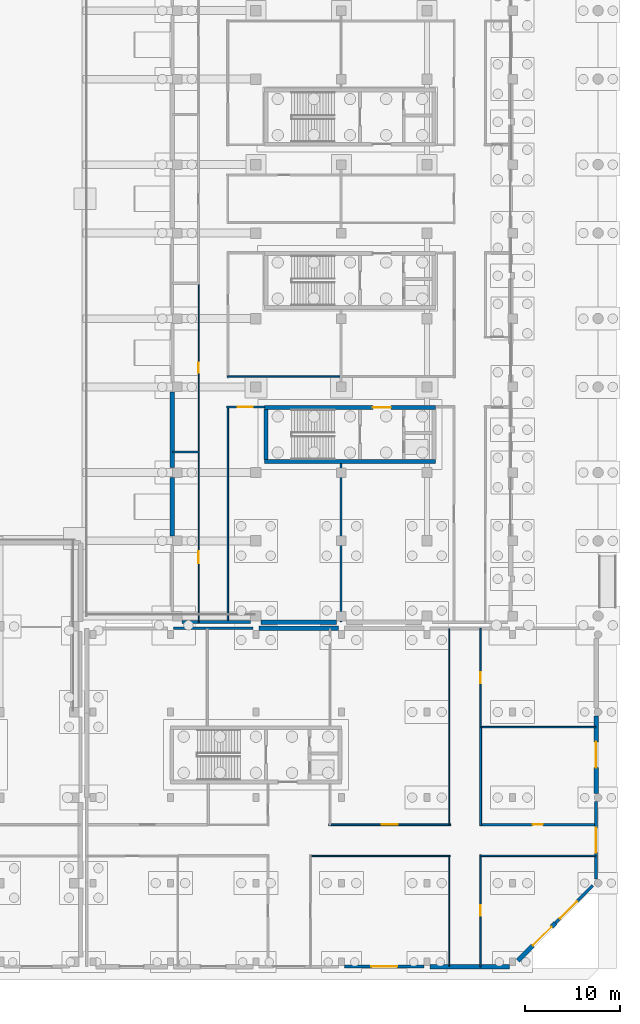
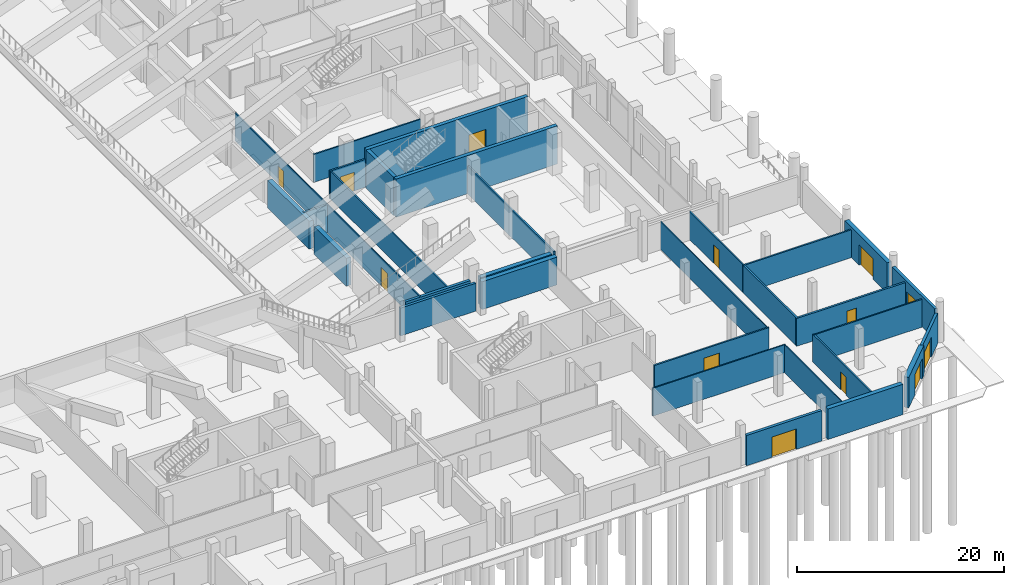
# One storey, part 26 of 53: 32 walls, 13 doors, 13 openings.
"""IFC4 building model written with IfcOpenShell, lengths in metres."""

from ifc_helpers import new_model, si_unit, direction, frame, frame_2d, origin, place, context, subcontext, project, spatial, rectangle, extrude, material, layer, layer_set, type_object, element, fill, save


model = new_model("IFC4")

# Units and contexts
model_context = context("Model", 3, precision=1e-05, world=origin(), true_north=direction((0.0, 1.0)))
body_context = subcontext(model_context, "Body", "Model", "MODEL_VIEW")
ifc_project = project(units=[si_unit("LENGTHUNIT", "METRE"), si_unit("AREAUNIT", "SQUARE_METRE"), si_unit("VOLUMEUNIT", "CUBIC_METRE"), si_unit("PLANEANGLEUNIT", "RADIAN"), si_unit("MASSUNIT", "GRAM", prefix="KILO"), si_unit("THERMODYNAMICTEMPERATUREUNIT", "KELVIN"), si_unit("POWERUNIT", "WATT")], contexts=[model_context])

# Site, building, storey
site_placement = place(None, origin())
site = spatial("IfcSite", under=ifc_project, at=site_placement, CompositionType="ELEMENT")
building_placement = place(site_placement, origin())
building = spatial("IfcBuilding", under=site, at=building_placement, Name="Sindhuravela Promenade Stadium", CompositionType="ELEMENT")
storey_placement = place(building_placement, origin())
storey = spatial("IfcBuildingStorey", under=building, at=storey_placement, Name="L00", CompositionType="ELEMENT", Elevation=0.0)

# Wall
ifc_material_1 = material(Name="Dholpur sandstone ashlar (45 MPa)", Category="masonry")
ifc_layer_1 = layer(ifc_material_1, 0.2900390625)
ifc_layer_set_1 = layer_set([ifc_layer_1], Name="Dholpur sandstone ashlar (45 MPa)")
wall_type_1 = type_object("IfcWallType", Name="EX-WL-SND290", PredefinedType="SOLIDWALL", material=ifc_layer_set_1)
wall_1_placement = place(storey_placement, frame((171.304931640625, 35.800048828125, 0.0), z_axis=(0.0, 0.0, 1.0), x_axis=(1.0, 0.0, 0.0)))
element("IfcWall", 1, at=wall_1_placement, inside=storey, type_object=wall_type_1, Name="Exterior masonry wall EW10 Pavilion SE L00", PredefinedType="SOLIDWALL", context=body_context, shape_type="SweptSolid", body=[
    extrude(rectangle(XDim=8.39013671875, YDim=0.2900390625, at=frame_2d((4.195068359375, 0.0))), origin(), (0.0, 0.0, 1.0), 3.280029296875),
])

# Wall, opening, door
wall_2_placement = place(storey_placement, frame((215.455078125, 8.73779296875, 0.0), z_axis=(0.0, 0.0, 1.0), x_axis=(-0.7071286530614815, -0.7070849086350626, 0.0)))
wall_2 = element("IfcWall", 2, at=wall_2_placement, inside=storey, type_object=wall_type_1, Name="Exterior masonry wall EW10 Pavilion SE L00", PredefinedType="SOLIDWALL", context=body_context, shape_type="SweptSolid", body=[
    extrude(rectangle(XDim=5.5810546875, YDim=0.2900390625, at=frame_2d((2.79052734375, 0.0))), origin(), (0.0, 0.0, 1.0), 3.580078125),
])
opening_1_placement = place(wall_2_placement, frame((2.377685546875, 0.0, 0.0)))
opening_1 = element("IfcOpeningElement", 3, at=opening_1_placement, cuts=wall_2, Name="Opening X04", PredefinedType="OPENING", context=body_context, shape_type="SweptSolid", body=[
    extrude(rectangle(XDim=2.5, YDim=2.35009765625, at=frame_2d((1.25, 1.175048828125))), frame((0.0, 0.155029296875, 0.0), z_axis=(0.0, -1.0, 0.0), x_axis=(1.0, 0.0, 0.0)), (0.0, 0.0, 1.0), 0.31005859375),
])
ifc_material_2 = material(Name="Anodised architectural aluminium 6063-T6", Category="aluminium")
door_type_1 = type_object("IfcDoorType", Name="DR-EXIT-2500x2350", OperationType="DOUBLE_DOOR_SINGLE_SWING", PredefinedType="DOOR", material=ifc_material_2)
door_1_placement = place(opening_1_placement, origin())
door_1 = element("IfcDoor", 4, at=door_1_placement, inside=storey, type_object=door_type_1, Name="Concourse exit discharge door X04", OperationType="DOUBLE_DOOR_SINGLE_SWING", OverallHeight=2.35009765625, OverallWidth=2.5, PredefinedType="DOOR", context=body_context, shape_type="SweptSolid", body=[
    extrude(rectangle(XDim=2.5, YDim=2.35009765625, at=frame_2d((1.25, 1.175048828125))), frame((0.0, 0.02490234375, 0.0), z_axis=(0.0, -1.0, 0.0), x_axis=(1.0, 0.0, 0.0)), (0.0, 0.0, 1.0), 0.050048828125),
])
fill(opening_1, door_1)

# Wall
ifc_layer_2 = layer(ifc_material_1, 0.31005859375)
ifc_layer_set_2 = layer_set([ifc_layer_2], Name="Dholpur sandstone ashlar (45 MPa)")
wall_type_2 = type_object("IfcWallType", Name="EX-WL-SND310", PredefinedType="SOLIDWALL", material=ifc_layer_set_2)
wall_3_placement = place(storey_placement, frame((179.445068359375, 36.449951171875, 0.0), z_axis=(0.0, 0.0, 1.0), x_axis=(-1.0, 0.0, 0.0)))
element("IfcWall", 5, at=wall_3_placement, inside=storey, type_object=wall_type_2, Name="Exterior masonry wall EW09 EAST L00", PredefinedType="SOLIDWALL", context=body_context, shape_type="SweptSolid", body=[
    extrude(rectangle(XDim=7.239990234375, YDim=0.31005859375, at=frame_2d((3.6201171875, 0.0))), origin(), (0.0, 0.0, 1.0), 3.280029296875),
])

# Wall, opening, door
wall_4_placement = place(storey_placement, frame((215.800048828125, 17.594970703125, 0.0), z_axis=(0.0, 0.0, 1.0), x_axis=(0.0, -1.0, 0.0)))
wall_4 = element("IfcWall", 6, at=wall_4_placement, inside=storey, type_object=wall_type_2, Name="Exterior masonry wall EW09 Pavilion SE L00", PredefinedType="SOLIDWALL", context=body_context, shape_type="SweptSolid", body=[
    extrude(rectangle(XDim=8.18994140625, YDim=0.31005859375, at=frame_2d((4.094970703125, 0.0))), origin(), (0.0, 0.0, 1.0), 3.580078125),
])
opening_2_placement = place(wall_4_placement, frame((2.794921875, 0.0, 0.0)))
opening_2 = element("IfcOpeningElement", 7, at=opening_2_placement, cuts=wall_4, Name="Opening X03", PredefinedType="OPENING", context=body_context, shape_type="SweptSolid", body=[
    extrude(rectangle(XDim=2.60009765625, YDim=2.35009765625, at=frame_2d((1.300048828125, 1.175048828125))), frame((0.0, 0.1650390625, 0.0), z_axis=(0.0, -1.0, 0.0), x_axis=(1.0, 0.0, 0.0)), (0.0, 0.0, 1.0), 0.330078125),
])
door_type_2 = type_object("IfcDoorType", Name="DR-EXIT-2600x2350", OperationType="DOUBLE_DOOR_SINGLE_SWING", PredefinedType="DOOR", material=ifc_material_2)
door_2_placement = place(opening_2_placement, origin())
door_2 = element("IfcDoor", 8, at=door_2_placement, inside=storey, type_object=door_type_2, Name="Concourse exit discharge door X03", OperationType="DOUBLE_DOOR_SINGLE_SWING", OverallHeight=2.35009765625, OverallWidth=2.60009765625, PredefinedType="DOOR", context=body_context, shape_type="SweptSolid", body=[
    extrude(rectangle(XDim=2.60009765625, YDim=2.35009765625, at=frame_2d((1.300048828125, 1.175048828125))), frame((0.0, 0.02490234375, 0.0), z_axis=(0.0, -1.0, 0.0), x_axis=(1.0, 0.0, 0.0)), (0.0, 0.0, 1.0), 0.050048828125),
])
fill(opening_2, door_2)

wall_5_placement = place(storey_placement, frame((197.695068359375, 0.199951171875, 0.0), z_axis=(0.0, 0.0, 1.0), x_axis=(-1.0, 0.0, 0.0)))
wall_5 = element("IfcWall", 9, at=wall_5_placement, inside=storey, type_object=wall_type_2, Name="Exterior masonry wall EW09 Pavilion SE L00", PredefinedType="SOLIDWALL", context=body_context, shape_type="SweptSolid", body=[
    extrude(rectangle(XDim=8.39013671875, YDim=0.31005859375, at=frame_2d((4.195068359375, 0.0))), origin(), (0.0, 0.0, 1.0), 3.580078125),
])
opening_3_placement = place(wall_5_placement, frame((2.844970703125, 0.0, 0.0)))
opening_3 = element("IfcOpeningElement", 10, at=opening_3_placement, cuts=wall_5, Name="Opening X06", PredefinedType="OPENING", context=body_context, shape_type="SweptSolid", body=[
    extrude(rectangle(XDim=2.699951171875, YDim=2.39990234375, at=frame_2d((1.35009765625, 1.199951171875))), frame((0.0, 0.1650390625, 0.0), z_axis=(0.0, -1.0, 0.0), x_axis=(1.0, 0.0, 0.0)), (0.0, 0.0, 1.0), 0.330078125),
])
door_type_3 = type_object("IfcDoorType", Name="DR-EXIT-2700x2400", OperationType="DOUBLE_DOOR_SINGLE_SWING", PredefinedType="DOOR", material=ifc_material_2)
door_3_placement = place(opening_3_placement, origin())
door_3 = element("IfcDoor", 11, at=door_3_placement, inside=storey, type_object=door_type_3, Name="Concourse exit discharge door X06", OperationType="DOUBLE_DOOR_SINGLE_SWING", OverallHeight=2.39990234375, OverallWidth=2.699951171875, PredefinedType="DOOR", context=body_context, shape_type="SweptSolid", body=[
    extrude(rectangle(XDim=2.699951171875, YDim=2.39990234375, at=frame_2d((1.35009765625, 1.199951171875))), frame((0.0, 0.02490234375, 0.0), z_axis=(0.0, -1.0, 0.0), x_axis=(1.0, 0.0, 0.0)), (0.0, 0.0, 1.0), 0.050048828125),
])
fill(opening_3, door_3)

# Walls
ifc_layer_3 = layer(ifc_material_1, 0.47998046875)
ifc_layer_set_3 = layer_set([ifc_layer_3], Name="Dholpur sandstone ashlar (45 MPa)")
wall_type_3 = type_object("IfcWallType", Name="EX-WL-SND480", PredefinedType="SOLIDWALL", material=ifc_layer_set_3)
wall_6_placement = place(storey_placement, frame((171.199951171875, 52.705078125, 0.0), z_axis=(0.0, 0.0, 1.0), x_axis=(0.0, 1.0, 0.0)))
element("IfcWall", 12, at=wall_6_placement, inside=storey, type_object=wall_type_3, Name="Exterior masonry wall EW08 EAST L00", PredefinedType="SOLIDWALL", context=body_context, shape_type="SweptSolid", body=[
    extrude(rectangle(XDim=7.989990234375, YDim=0.47998046875, at=frame_2d((3.9951171875, 0.0))), origin(), (0.0, 0.0, 1.0), 3.280029296875),
])
wall_7_placement = place(storey_placement, frame((188.4951171875, 36.449951171875, 0.0), z_axis=(0.0, 0.0, 1.0), x_axis=(-1.0, 0.0, 0.0)))
element("IfcWall", 13, at=wall_7_placement, inside=storey, type_object=wall_type_3, Name="Exterior masonry wall EW08 EAST L00", PredefinedType="SOLIDWALL", context=body_context, shape_type="SweptSolid", body=[
    extrude(rectangle(XDim=7.940185546875, YDim=0.47998046875, at=frame_2d((3.97021484375, 0.0))), origin(), (0.0, 0.0, 1.0), 3.280029296875),
])

# Wall, opening, door
wall_8_placement = place(storey_placement, frame((215.800048828125, 26.594970703125, 0.0), z_axis=(0.0, 0.0, 1.0), x_axis=(0.0, -1.0, 0.0)))
wall_8 = element("IfcWall", 14, at=wall_8_placement, inside=storey, type_object=wall_type_3, Name="Exterior masonry wall EW08 Pavilion SE L00", PredefinedType="SOLIDWALL", context=body_context, shape_type="SweptSolid", body=[
    extrude(rectangle(XDim=8.18994140625, YDim=0.47998046875, at=frame_2d((4.094970703125, 0.0))), origin(), (0.0, 0.0, 1.0), 3.580078125),
])
opening_4_placement = place(wall_8_placement, frame((2.7451171875, 0.0, 0.0)))
opening_4 = element("IfcOpeningElement", 15, at=opening_4_placement, cuts=wall_8, Name="Opening X02", PredefinedType="OPENING", context=body_context, shape_type="SweptSolid", body=[
    extrude(rectangle(XDim=2.699951171875, YDim=2.39990234375, at=frame_2d((1.35009765625, 1.199951171875))), frame((0.0, 0.25, 0.0), z_axis=(0.0, -1.0, 0.0), x_axis=(1.0, 0.0, 0.0)), (0.0, 0.0, 1.0), 0.5),
])
door_4_placement = place(opening_4_placement, origin())
door_4 = element("IfcDoor", 16, at=door_4_placement, inside=storey, type_object=door_type_3, Name="Concourse exit discharge door X02", OperationType="DOUBLE_DOOR_SINGLE_SWING", OverallHeight=2.39990234375, OverallWidth=2.699951171875, PredefinedType="DOOR", context=body_context, shape_type="SweptSolid", body=[
    extrude(rectangle(XDim=2.699951171875, YDim=2.39990234375, at=frame_2d((1.35009765625, 1.199951171875))), frame((0.0, 0.02490234375, 0.0), z_axis=(0.0, -1.0, 0.0), x_axis=(1.0, 0.0, 0.0)), (0.0, 0.0, 1.0), 0.050048828125),
])
fill(opening_4, door_4)

# Walls
wall_9_placement = place(storey_placement, frame((206.695068359375, 0.199951171875, 0.0), z_axis=(0.0, 0.0, 1.0), x_axis=(-1.0, 0.0, 0.0)))
element("IfcWall", 17, at=wall_9_placement, inside=storey, type_object=wall_type_3, Name="Exterior masonry wall EW08 Pavilion SE L00", PredefinedType="SOLIDWALL", context=body_context, shape_type="SweptSolid", body=[
    extrude(rectangle(XDim=8.39013671875, YDim=0.47998046875, at=frame_2d((4.195068359375, 0.0))), origin(), (0.0, 0.0, 1.0), 3.580078125),
])
ifc_layer_4 = layer(ifc_material_1, 0.5)
ifc_layer_set_4 = layer_set([ifc_layer_4], Name="Dholpur sandstone ashlar (45 MPa)")
wall_type_4 = type_object("IfcWallType", Name="EX-WL-SND500", PredefinedType="SOLIDWALL", material=ifc_layer_set_4)
wall_10_placement = place(storey_placement, frame((171.199951171875, 45.5048828125, 0.0), z_axis=(0.0, 0.0, 1.0), x_axis=(0.0, 1.0, 0.0)))
element("IfcWall", 18, at=wall_10_placement, inside=storey, type_object=wall_type_4, Name="Exterior masonry wall EW07 EAST L00", PredefinedType="SOLIDWALL", context=body_context, shape_type="SweptSolid", body=[
    extrude(rectangle(XDim=6.190185546875, YDim=0.5, at=frame_2d((3.09521484375, 0.0))), origin(), (0.0, 0.0, 1.0), 3.280029296875),
])
wall_11_placement = place(storey_placement, frame((180.304931640625, 35.800048828125, 0.0), z_axis=(0.0, 0.0, 1.0), x_axis=(1.0, 0.0, 0.0)))
element("IfcWall", 19, at=wall_11_placement, inside=storey, type_object=wall_type_4, Name="Exterior masonry wall EW07 Pavilion SE L00", PredefinedType="SOLIDWALL", context=body_context, shape_type="SweptSolid", body=[
    extrude(rectangle(XDim=8.39013671875, YDim=0.5, at=frame_2d((4.195068359375, 0.0))), origin(), (0.0, 0.0, 1.0), 3.280029296875),
])

# Wall, opening, door
wall_12_placement = place(storey_placement, frame((211.508544921875, 4.79150390625, 0.0), z_axis=(0.0, 0.0, 1.0), x_axis=(-0.7071067811865476, -0.7071067811865476, 0.0)))
wall_12 = element("IfcWall", 20, at=wall_12_placement, inside=storey, type_object=wall_type_4, Name="Exterior masonry wall EW07 Pavilion SE L00", PredefinedType="SOLIDWALL", context=body_context, shape_type="SweptSolid", body=[
    extrude(rectangle(XDim=5.581298828125, YDim=0.5, at=frame_2d((2.79052734375, 0.0))), origin(), (0.0, 0.0, 1.0), 3.580078125),
])
opening_5_placement = place(wall_12_placement, frame((0.553466796875, 0.0, 0.0)))
opening_5 = element("IfcOpeningElement", 21, at=opening_5_placement, cuts=wall_12, Name="Opening X05", PredefinedType="OPENING", context=body_context, shape_type="SweptSolid", body=[
    extrude(rectangle(XDim=2.800048828125, YDim=2.39990234375, at=frame_2d((1.39990234375, 1.199951171875))), frame((0.0, 0.260009765625, 0.0), z_axis=(0.0, -1.0, 0.0), x_axis=(1.0, 0.0, 0.0)), (0.0, 0.0, 1.0), 0.52001953125),
])
door_type_4 = type_object("IfcDoorType", Name="DR-EXIT-2800x2400", OperationType="DOUBLE_DOOR_SINGLE_SWING", PredefinedType="DOOR", material=ifc_material_2)
door_5_placement = place(opening_5_placement, origin())
door_5 = element("IfcDoor", 22, at=door_5_placement, inside=storey, type_object=door_type_4, Name="Concourse exit discharge door X05", OperationType="DOUBLE_DOOR_SINGLE_SWING", OverallHeight=2.39990234375, OverallWidth=2.800048828125, PredefinedType="DOOR", context=body_context, shape_type="SweptSolid", body=[
    extrude(rectangle(XDim=2.800048828125, YDim=2.39990234375, at=frame_2d((1.39990234375, 1.199951171875))), frame((0.0, 0.02490234375, 0.0), z_axis=(0.0, -1.0, 0.0), x_axis=(1.0, 0.0, 0.0)), (0.0, 0.0, 1.0), 0.050048828125),
])
fill(opening_5, door_5)

ifc_material_3 = material(Name="Fire-rated gypsum partition board", Category="gypsum")
ifc_layer_5 = layer(ifc_material_3, 0.110107421875)
ifc_layer_set_5 = layer_set([ifc_layer_5], Name="Fire-rated gypsum partition board")
wall_type_5 = type_object("IfcWallType", Name="IN-WL-PAR110", PredefinedType="PARTITIONING", material=ifc_layer_set_5)
wall_13_placement = place(storey_placement, frame((173.9599609375, 36.449951171875, 0.0), z_axis=(0.0, 0.0, 1.0), x_axis=(0.0, 1.0, 0.0)))
wall_13 = element("IfcWall", 23, at=wall_13_placement, inside=storey, type_object=wall_type_5, Name="Corridor partition IW06 Stadium Club Shop 4", PredefinedType="PARTITIONING", context=body_context, shape_type="SweptSolid", body=[
    extrude(rectangle(XDim=17.89208984375, YDim=0.110107421875, at=frame_2d((8.946044921875, 0.0))), origin(), (0.0, 0.0, 1.0), 3.280029296875),
])
opening_6_placement = place(wall_13_placement, frame((6.202880859375, 0.0, 0.0)))
opening_6 = element("IfcOpeningElement", 24, at=opening_6_placement, cuts=wall_13, Name="Opening ID04", PredefinedType="OPENING", context=body_context, shape_type="SweptSolid", body=[
    extrude(rectangle(XDim=1.25, YDim=2.14990234375, at=frame_2d((0.625, 1.074951171875))), frame((0.0, 0.06494140625, 0.0), z_axis=(0.0, -1.0, 0.0), x_axis=(1.0, 0.0, 0.0)), (0.0, 0.0, 1.0), 0.130126953125),
])
ifc_material_4 = material(Name="Architectural teak timber leaf", Category="wood")
door_type_5 = type_object("IfcDoorType", Name="DR-INT-1250x2150", OperationType="NOTDEFINED", PredefinedType="DOOR", material=ifc_material_4)
door_6_placement = place(opening_6_placement, origin())
door_6 = element("IfcDoor", 25, at=door_6_placement, inside=storey, type_object=door_type_5, Name="Stadium Club Shop 4 door", OperationType="SINGLE_SWING_RIGHT", OverallHeight=2.14990234375, OverallWidth=1.25, PredefinedType="DOOR", context=body_context, shape_type="SweptSolid", body=[
    extrude(rectangle(XDim=1.25, YDim=2.14990234375, at=frame_2d((0.625, 1.074951171875))), frame((0.0, 0.02490234375, 0.0), z_axis=(0.0, -1.0, 0.0), x_axis=(1.0, 0.0, 0.0)), (0.0, 0.0, 1.0), 0.050048828125),
])
fill(opening_6, door_6)

wall_14_placement = place(storey_placement, frame((173.9599609375, 54.342041015625, 0.0), z_axis=(0.0, 0.0, 1.0), x_axis=(0.0, 1.0, 0.0)))
wall_14 = element("IfcWall", 26, at=wall_14_placement, inside=storey, type_object=wall_type_5, Name="Corridor partition IW06 Chiller Plant Hall 7", PredefinedType="PARTITIONING", context=body_context, shape_type="SweptSolid", body=[
    extrude(rectangle(XDim=17.77197265625, YDim=0.110107421875, at=frame_2d((8.885986328125, 0.0))), origin(), (0.0, 0.0, 1.0), 3.280029296875),
])
opening_7_placement = place(wall_14_placement, frame((8.361083984375, 0.0, 0.0)))
opening_7 = element("IfcOpeningElement", 27, at=opening_7_placement, cuts=wall_14, Name="Opening ID07", PredefinedType="OPENING", context=body_context, shape_type="SweptSolid", body=[
    extrude(rectangle(XDim=1.050048828125, YDim=2.10009765625, at=frame_2d((0.52490234375, 1.050048828125))), frame((0.0, 0.06494140625, 0.0), z_axis=(0.0, -1.0, 0.0), x_axis=(1.0, 0.0, 0.0)), (0.0, 0.0, 1.0), 0.130126953125),
])
door_type_6 = type_object("IfcDoorType", Name="DR-INT-1050x2100", OperationType="NOTDEFINED", PredefinedType="DOOR", material=ifc_material_4)
door_7_placement = place(opening_7_placement, origin())
door_7 = element("IfcDoor", 28, at=door_7_placement, inside=storey, type_object=door_type_6, Name="Chiller Plant Hall 7 door", OperationType="SINGLE_SWING_LEFT", OverallHeight=2.10009765625, OverallWidth=1.050048828125, PredefinedType="DOOR", context=body_context, shape_type="SweptSolid", body=[
    extrude(rectangle(XDim=1.050048828125, YDim=2.10009765625, at=frame_2d((0.52490234375, 1.050048828125))), frame((0.0, 0.02490234375, 0.0), z_axis=(0.0, -1.0, 0.0), x_axis=(1.0, 0.0, 0.0)), (0.0, 0.0, 1.0), 0.050048828125),
])
fill(opening_7, door_7)

# Walls
wall_15_placement = place(storey_placement, frame((200.360107421875, 35.760009765625, 0.0), z_axis=(0.0, 0.0, 1.0), x_axis=(0.0, -1.0, 0.0)))
element("IfcWall", 29, at=wall_15_placement, inside=storey, type_object=wall_type_5, Name="Interior partition IW06 Pavilion SE L00", PredefinedType="PARTITIONING", context=body_context, shape_type="SweptSolid", body=[
    extrude(rectangle(XDim=20.699951171875, YDim=0.110107421875, at=frame_2d((10.35009765625, 0.0))), origin(), (0.0, 0.0, 1.0), 3.280029296875),
])
wall_16_placement = place(storey_placement, frame((200.360107421875, 11.93994140625, 0.0), z_axis=(0.0, 0.0, 1.0), x_axis=(0.0, -1.0, 0.0)))
element("IfcWall", 30, at=wall_16_placement, inside=storey, type_object=wall_type_5, Name="Interior partition IW06 Pavilion SE L00", PredefinedType="PARTITIONING", context=body_context, shape_type="SweptSolid", body=[
    extrude(rectangle(XDim=11.699951171875, YDim=0.110107421875, at=frame_2d((5.85009765625, 0.0))), origin(), (0.0, 0.0, 1.0), 3.280029296875),
])
ifc_layer_6 = layer(ifc_material_3, 0.1298828125)
ifc_layer_set_6 = layer_set([ifc_layer_6], Name="Fire-rated gypsum partition board")
wall_type_6 = type_object("IfcWallType", Name="IN-WL-PAR130", PredefinedType="PARTITIONING", material=ifc_layer_set_6)
wall_17_placement = place(storey_placement, frame((185.659912109375, 11.860107421875, 0.0), z_axis=(0.0, 0.0, 1.0), x_axis=(1.0, 0.0, 0.0)))
element("IfcWall", 31, at=wall_17_placement, inside=storey, type_object=wall_type_6, Name="Interior partition IW05 Pavilion SE L00", PredefinedType="PARTITIONING", context=body_context, shape_type="SweptSolid", body=[
    extrude(rectangle(XDim=14.780029296875, YDim=0.1298828125, at=frame_2d((7.39013671875, 0.0))), origin(), (0.0, 0.0, 1.0), 3.280029296875),
])
ifc_layer_7 = layer(ifc_material_3, 0.14990234375)
ifc_layer_set_7 = layer_set([ifc_layer_7], Name="Fire-rated gypsum partition board")
wall_type_7 = type_object("IfcWallType", Name="IN-WL-PAR150", PredefinedType="PARTITIONING", material=ifc_layer_set_7)
wall_18_placement = place(storey_placement, frame((177.0400390625, 36.489990234375, 0.0), z_axis=(0.0, 0.0, 1.0), x_axis=(0.0, 1.0, 0.0)))
element("IfcWall", 32, at=wall_18_placement, inside=storey, type_object=wall_type_7, Name="Interior partition IW04 EAST L00", PredefinedType="PARTITIONING", context=body_context, shape_type="SweptSolid", body=[
    extrude(rectangle(XDim=22.699951171875, YDim=0.14990234375, at=frame_2d((11.35009765625, 0.0))), origin(), (0.0, 0.0, 1.0), 3.280029296875),
])
wall_19_placement = place(storey_placement, frame((188.909912109375, 62.2900390625, 0.0), z_axis=(0.0, 0.0, 1.0), x_axis=(-1.0, 0.0, 0.0)))
element("IfcWall", 33, at=wall_19_placement, inside=storey, type_object=wall_type_7, Name="Interior partition IW04 EAST L00", PredefinedType="PARTITIONING", context=body_context, shape_type="SweptSolid", body=[
    extrude(rectangle(XDim=11.949951171875, YDim=0.14990234375, at=frame_2d((5.97509765625, 0.0))), origin(), (0.0, 0.0, 1.0), 3.280029296875),
])

# Wall, opening, door
wall_20_placement = place(storey_placement, frame((203.639892578125, 35.800048828125, 0.0), z_axis=(0.0, 0.0, 1.0), x_axis=(0.0, -1.0, 0.0)))
wall_20 = element("IfcWall", 34, at=wall_20_placement, inside=storey, type_object=wall_type_7, Name="Corridor partition IW04 Gate Ticketing Hall SE 2", PredefinedType="PARTITIONING", context=body_context, shape_type="SweptSolid", body=[
    extrude(rectangle(XDim=10.39013671875, YDim=0.14990234375, at=frame_2d((5.195068359375, 0.0))), origin(), (0.0, 0.0, 1.0), 3.280029296875),
])
opening_8_placement = place(wall_20_placement, frame((4.635009765625, 0.0, 0.0)))
opening_8 = element("IfcOpeningElement", 35, at=opening_8_placement, cuts=wall_20, Name="Opening ID13", PredefinedType="OPENING", context=body_context, shape_type="SweptSolid", body=[
    extrude(rectangle(XDim=1.1201171875, YDim=2.219970703125, at=frame_2d((0.56005859375, 1.10986328125))), frame((0.0, 0.0849609375, 0.0), z_axis=(0.0, -1.0, 0.0), x_axis=(1.0, 0.0, 0.0)), (0.0, 0.0, 1.0), 0.169921875),
])
door_type_7 = type_object("IfcDoorType", Name="DR-INT-1120x2220", OperationType="NOTDEFINED", PredefinedType="DOOR", material=ifc_material_4)
door_8_placement = place(opening_8_placement, origin())
door_8 = element("IfcDoor", 36, at=door_8_placement, inside=storey, type_object=door_type_7, Name="Gate Ticketing Hall SE 2 door", OperationType="SINGLE_SWING_LEFT", OverallHeight=2.219970703125, OverallWidth=1.1201171875, PredefinedType="DOOR", context=body_context, shape_type="SweptSolid", body=[
    extrude(rectangle(XDim=1.1201171875, YDim=2.219970703125, at=frame_2d((0.56005859375, 1.10986328125))), frame((0.0, 0.02490234375, 0.0), z_axis=(0.0, -1.0, 0.0), x_axis=(1.0, 0.0, 0.0)), (0.0, 0.0, 1.0), 0.050048828125),
])
fill(opening_8, door_8)

# Walls
wall_21_placement = place(storey_placement, frame((203.56005859375, 11.860107421875, 0.0), z_axis=(0.0, 0.0, 1.0), x_axis=(1.0, 0.0, 0.0)))
element("IfcWall", 37, at=wall_21_placement, inside=storey, type_object=wall_type_7, Name="Interior partition IW04 Pavilion SE L00", PredefinedType="PARTITIONING", context=body_context, shape_type="SweptSolid", body=[
    extrude(rectangle(XDim=12.199951171875, YDim=0.14990234375, at=frame_2d((6.10009765625, 0.0))), origin(), (0.0, 0.0, 1.0), 3.280029296875),
])
ifc_layer_8 = layer(ifc_material_3, 0.175048828125)
ifc_layer_set_8 = layer_set([ifc_layer_8], Name="Fire-rated gypsum partition board")
wall_type_8 = type_object("IfcWallType", Name="IN-WL-PAR175", PredefinedType="PARTITIONING", material=ifc_layer_set_8)
wall_22_placement = place(storey_placement, frame((188.949951171875, 53.14794921875, 0.0), z_axis=(0.0, 0.0, 1.0), x_axis=(0.0, -1.0, 0.0)))
element("IfcWall", 38, at=wall_22_placement, inside=storey, type_object=wall_type_8, Name="Interior partition IW03 EAST L00", PredefinedType="PARTITIONING", context=body_context, shape_type="SweptSolid", body=[
    extrude(rectangle(XDim=16.657958984375, YDim=0.175048828125, at=frame_2d((8.3291015625, 0.0))), origin(), (0.0, 0.0, 1.0), 3.280029296875),
])

# Wall, opening, door
wall_23_placement = place(storey_placement, frame((187.679931640625, 15.139892578125, 0.0), z_axis=(0.0, 0.0, 1.0), x_axis=(1.0, 0.0, 0.0)))
wall_23 = element("IfcWall", 39, at=wall_23_placement, inside=storey, type_object=wall_type_8, Name="Corridor partition IW03 Gate Ticketing Hall SE", PredefinedType="PARTITIONING", context=body_context, shape_type="SweptSolid", body=[
    extrude(rectangle(XDim=12.800048828125, YDim=0.175048828125, at=frame_2d((6.39990234375, 0.0))), origin(), (0.0, 0.0, 1.0), 3.280029296875),
])
opening_9_placement = place(wall_23_placement, frame((5.550048828125, 0.0, 0.0)))
opening_9 = element("IfcOpeningElement", 40, at=opening_9_placement, cuts=wall_23, Name="Opening ID01", PredefinedType="OPENING", context=body_context, shape_type="SweptSolid", body=[
    extrude(rectangle(XDim=1.699951171875, YDim=2.199951171875, at=frame_2d((0.85009765625, 1.10009765625))), frame((0.0, 0.097412109375, 0.0), z_axis=(0.0, -1.0, 0.0), x_axis=(1.0, 0.0, 0.0)), (0.0, 0.0, 1.0), 0.195068359375),
])
door_type_8 = type_object("IfcDoorType", Name="DR-INT-1700x2200", OperationType="DOUBLE_DOOR_SINGLE_SWING", PredefinedType="DOOR", material=ifc_material_4)
door_9_placement = place(opening_9_placement, origin())
door_9 = element("IfcDoor", 41, at=door_9_placement, inside=storey, type_object=door_type_8, Name="Gate Ticketing Hall SE door", OperationType="DOUBLE_DOOR_SINGLE_SWING", OverallHeight=2.199951171875, OverallWidth=1.699951171875, PredefinedType="DOOR", context=body_context, shape_type="SweptSolid", body=[
    extrude(rectangle(XDim=1.699951171875, YDim=2.199951171875, at=frame_2d((0.85009765625, 1.10009765625))), frame((0.0, 0.02490234375, 0.0), z_axis=(0.0, -1.0, 0.0), x_axis=(1.0, 0.0, 0.0)), (0.0, 0.0, 1.0), 0.050048828125),
])
fill(opening_9, door_9)

# Wall
wall_24_placement = place(storey_placement, frame((203.56005859375, 25.409912109375, 0.0), z_axis=(0.0, 0.0, 1.0), x_axis=(1.0, 0.0, 0.0)))
element("IfcWall", 42, at=wall_24_placement, inside=storey, type_object=wall_type_8, Name="Interior partition IW03 Pavilion SE L00", PredefinedType="PARTITIONING", context=body_context, shape_type="SweptSolid", body=[
    extrude(rectangle(XDim=12.199951171875, YDim=0.175048828125, at=frame_2d((6.10009765625, 0.0))), origin(), (0.0, 0.0, 1.0), 3.280029296875),
])

# Wall, opening, door
wall_25_placement = place(storey_placement, frame((203.639892578125, 11.97998046875, 0.0), z_axis=(0.0, 0.0, 1.0), x_axis=(0.0, -1.0, 0.0)))
wall_25 = element("IfcWall", 43, at=wall_25_placement, inside=storey, type_object=wall_type_8, Name="Corridor partition IW03 Accessible WC SE L00 5", PredefinedType="PARTITIONING", context=body_context, shape_type="SweptSolid", body=[
    extrude(rectangle(XDim=11.780029296875, YDim=0.175048828125, at=frame_2d((5.89013671875, 0.0))), origin(), (0.0, 0.0, 1.0), 3.280029296875),
])
opening_10_placement = place(wall_25_placement, frame((5.340087890625, 0.0, 0.0)))
opening_10 = element("IfcOpeningElement", 44, at=opening_10_placement, cuts=wall_25, Name="Opening ID06", PredefinedType="OPENING", context=body_context, shape_type="SweptSolid", body=[
    extrude(rectangle(XDim=1.10009765625, YDim=2.10009765625, at=frame_2d((0.550048828125, 1.050048828125))), frame((0.0, 0.097412109375, 0.0), z_axis=(0.0, -1.0, 0.0), x_axis=(1.0, 0.0, 0.0)), (0.0, 0.0, 1.0), 0.195068359375),
])
door_type_9 = type_object("IfcDoorType", Name="DR-INT-1100x2100", OperationType="NOTDEFINED", PredefinedType="DOOR", material=ifc_material_4)
door_10_placement = place(opening_10_placement, origin())
door_10 = element("IfcDoor", 45, at=door_10_placement, inside=storey, type_object=door_type_9, Name="Accessible WC SE L00 5 door", OperationType="SINGLE_SWING_RIGHT", OverallHeight=2.10009765625, OverallWidth=1.10009765625, PredefinedType="DOOR", context=body_context, shape_type="SweptSolid", body=[
    extrude(rectangle(XDim=1.10009765625, YDim=2.10009765625, at=frame_2d((0.550048828125, 1.050048828125))), frame((0.0, 0.02490234375, 0.0), z_axis=(0.0, -1.0, 0.0), x_axis=(1.0, 0.0, 0.0)), (0.0, 0.0, 1.0), 0.050048828125),
])
fill(opening_10, door_10)

ifc_layer_9 = layer(ifc_material_3, 0.195068359375)
ifc_layer_set_9 = layer_set([ifc_layer_9], Name="Fire-rated gypsum partition board")
wall_type_9 = type_object("IfcWallType", Name="IN-WL-PAR195", PredefinedType="PARTITIONING", material=ifc_layer_set_9)
wall_26_placement = place(storey_placement, frame((180.89794921875, 59.110107421875, 0.0), z_axis=(0.0, 0.0, 1.0), x_axis=(-1.0, 0.0, 0.0)))
wall_26 = element("IfcWall", 46, at=wall_26_placement, inside=storey, type_object=wall_type_9, Name="Corridor partition IW02 Park Promenade Cafe", PredefinedType="PARTITIONING", context=body_context, shape_type="SweptSolid", body=[
    extrude(rectangle(XDim=3.97802734375, YDim=0.195068359375, at=frame_2d((1.989013671875, 0.0))), origin(), (0.0, 0.0, 1.0), 3.280029296875),
])
opening_11_placement = place(wall_26_placement, frame((1.2529296875, 0.0, 0.0)))
opening_11 = element("IfcOpeningElement", 47, at=opening_11_placement, cuts=wall_26, Name="Opening ID02", PredefinedType="OPENING", context=body_context, shape_type="SweptSolid", body=[
    extrude(rectangle(XDim=1.550048828125, YDim=2.199951171875, at=frame_2d((0.77490234375, 1.10009765625))), frame((0.0, 0.107421875, 0.0), z_axis=(0.0, -1.0, 0.0), x_axis=(1.0, 0.0, 0.0)), (0.0, 0.0, 1.0), 0.215087890625),
])
door_type_10 = type_object("IfcDoorType", Name="DR-INT-1550x2200", OperationType="DOUBLE_DOOR_SINGLE_SWING", PredefinedType="DOOR", material=ifc_material_4)
door_11_placement = place(opening_11_placement, origin())
door_11 = element("IfcDoor", 48, at=door_11_placement, inside=storey, type_object=door_type_10, Name="Park Promenade Cafe door", OperationType="DOUBLE_DOOR_SINGLE_SWING", OverallHeight=2.199951171875, OverallWidth=1.550048828125, PredefinedType="DOOR", context=body_context, shape_type="SweptSolid", body=[
    extrude(rectangle(XDim=1.550048828125, YDim=2.199951171875, at=frame_2d((0.77490234375, 1.10009765625))), frame((0.0, 0.02490234375, 0.0), z_axis=(0.0, -1.0, 0.0), x_axis=(1.0, 0.0, 0.0)), (0.0, 0.0, 1.0), 0.050048828125),
])
fill(opening_11, door_11)

# Walls
wall_27_placement = place(storey_placement, frame((203.639892578125, 15.06005859375, 0.0), z_axis=(0.0, 0.0, 1.0), x_axis=(0.0, 1.0, 0.0)))
element("IfcWall", 49, at=wall_27_placement, inside=storey, type_object=wall_type_9, Name="Interior partition IW02 Pavilion SE L00", PredefinedType="PARTITIONING", context=body_context, shape_type="SweptSolid", body=[
    extrude(rectangle(XDim=10.31005859375, YDim=0.195068359375, at=frame_2d((5.155029296875, 0.0))), origin(), (0.0, 0.0, 1.0), 3.280029296875),
])
ifc_layer_10 = layer(ifc_material_3, 0.219970703125)
ifc_layer_set_10 = layer_set([ifc_layer_10], Name="Fire-rated gypsum partition board")
wall_type_10 = type_object("IfcWallType", Name="IN-WL-PAR220", PredefinedType="PARTITIONING", material=ifc_layer_set_10)
wall_28_placement = place(storey_placement, frame((171.239990234375, 54.342041015625, 0.0), z_axis=(0.0, 0.0, 1.0), x_axis=(1.0, 0.0, 0.0)))
element("IfcWall", 50, at=wall_28_placement, inside=storey, type_object=wall_type_10, Name="Interior partition IW01 EAST L00", PredefinedType="PARTITIONING", context=body_context, shape_type="SweptSolid", body=[
    extrude(rectangle(XDim=2.800048828125, YDim=0.219970703125, at=frame_2d((1.39990234375, 0.0))), origin(), (0.0, 0.0, 1.0), 3.280029296875),
])

# Wall, opening, door
wall_29_placement = place(storey_placement, frame((203.52001953125, 15.139892578125, 0.0), z_axis=(0.0, 0.0, 1.0), x_axis=(1.0, 0.0, 0.0)))
wall_29 = element("IfcWall", 51, at=wall_29_placement, inside=storey, type_object=wall_type_10, Name="Corridor partition IW01 Accessible WC SE L00", PredefinedType="PARTITIONING", context=body_context, shape_type="SweptSolid", body=[
    extrude(rectangle(XDim=12.280029296875, YDim=0.219970703125, at=frame_2d((6.14013671875, 0.0))), origin(), (0.0, 0.0, 1.0), 3.280029296875),
])
opening_12_placement = place(wall_29_placement, frame((5.60009765625, 0.0, 0.0)))
opening_12 = element("IfcOpeningElement", 52, at=opening_12_placement, cuts=wall_29, Name="Opening ID12", PredefinedType="OPENING", context=body_context, shape_type="SweptSolid", body=[
    extrude(rectangle(XDim=1.080078125, YDim=2.179931640625, at=frame_2d((0.5400390625, 1.08984375))), frame((0.0, 0.119873046875, 0.0), z_axis=(0.0, -1.0, 0.0), x_axis=(1.0, 0.0, 0.0)), (0.0, 0.0, 1.0), 0.239990234375),
])
door_type_11 = type_object("IfcDoorType", Name="DR-INT-1080x2180", OperationType="NOTDEFINED", PredefinedType="DOOR", material=ifc_material_4)
door_12_placement = place(opening_12_placement, origin())
door_12 = element("IfcDoor", 53, at=door_12_placement, inside=storey, type_object=door_type_11, Name="Accessible WC SE L00 door", OperationType="SINGLE_SWING_RIGHT", OverallHeight=2.179931640625, OverallWidth=1.080078125, PredefinedType="DOOR", context=body_context, shape_type="SweptSolid", body=[
    extrude(rectangle(XDim=1.080078125, YDim=2.179931640625, at=frame_2d((0.5400390625, 1.08984375))), frame((0.0, 0.02490234375, 0.0), z_axis=(0.0, -1.0, 0.0), x_axis=(1.0, 0.0, 0.0)), (0.0, 0.0, 1.0), 0.050048828125),
])
fill(opening_12, door_12)

# Wall
ifc_material_5 = material(Name="Concrete M50", Category="concrete")
ifc_layer_11 = layer(ifc_material_5, 0.39990234375)
ifc_layer_set_11 = layer_set([ifc_layer_11], Name="Concrete M50")
wall_type_11 = type_object("IfcWallType", Name="RC-SW-400", PredefinedType="SHEAR", material=ifc_layer_set_11)
wall_30_placement = place(storey_placement, frame((180.89990234375, 53.35009765625, 0.0), z_axis=(0.0, 0.0, 1.0), x_axis=(1.0, 0.0, 0.0)))
element("IfcWall", 54, at=wall_30_placement, inside=storey, type_object=wall_type_11, Name="Core shear wall C05-S (L00)", PredefinedType="SHEAR", context=body_context, shape_type="SweptSolid", body=[
    extrude(rectangle(XDim=18.0, YDim=0.39990234375, at=frame_2d((9.0, 0.0))), origin(), (0.0, 0.0, 1.0), 4.5),
])

# Wall, opening, door
wall_31_placement = place(storey_placement, frame((198.89990234375, 59.050048828125, 0.0), z_axis=(0.0, 0.0, 1.0), x_axis=(-1.0, 0.0, 0.0)))
wall_31 = element("IfcWall", 55, at=wall_31_placement, inside=storey, type_object=wall_type_11, Name="Core shear wall C05-N (L00)", PredefinedType="SHEAR", context=body_context, shape_type="SweptSolid", body=[
    extrude(rectangle(XDim=18.0, YDim=0.39990234375, at=frame_2d((9.0, 0.0))), origin(), (0.0, 0.0, 1.0), 4.5),
])
opening_13_placement = place(wall_31_placement, frame((4.699951171875, 0.0, 0.0)))
opening_13 = element("IfcOpeningElement", 56, at=opening_13_placement, cuts=wall_31, Name="Opening FD02", PredefinedType="OPENING", context=body_context, shape_type="SweptSolid", body=[
    extrude(rectangle(XDim=1.89990234375, YDim=2.25, at=frame_2d((0.949951171875, 1.125))), frame((0.0, 0.2099609375, 0.0), z_axis=(0.0, -1.0, 0.0), x_axis=(1.0, 0.0, 0.0)), (0.0, 0.0, 1.0), 0.419921875),
])
ifc_material_6 = material(Name="Architectural wrought steel E350", Category="steel")
door_type_12 = type_object("IfcDoorType", Name="DR-LOB-1900x2250", OperationType="DOUBLE_DOOR_SINGLE_SWING", PredefinedType="DOOR", material=ifc_material_6)
door_13_placement = place(opening_13_placement, origin())
door_13 = element("IfcDoor", 57, at=door_13_placement, inside=storey, type_object=door_type_12, Name="Protected lobby entrance door C05 (L00)", OperationType="DOUBLE_DOOR_SINGLE_SWING", OverallHeight=2.25, OverallWidth=1.89990234375, PredefinedType="DOOR", context=body_context, shape_type="SweptSolid", body=[
    extrude(rectangle(XDim=1.89990234375, YDim=2.25, at=frame_2d((0.949951171875, 1.125))), frame((0.0, 0.02490234375, 0.0), z_axis=(0.0, -1.0, 0.0), x_axis=(1.0, 0.0, 0.0)), (0.0, 0.0, 1.0), 0.050048828125),
])
fill(opening_13, door_13)

# Wall
wall_32_placement = place(storey_placement, frame((181.050048828125, 58.85009765625, 0.0), z_axis=(0.0, 0.0, 1.0), x_axis=(0.0, -1.0, 0.0)))
element("IfcWall", 58, at=wall_32_placement, inside=storey, type_object=wall_type_11, Name="Core shear wall C05-W (L00)", PredefinedType="SHEAR", context=body_context, shape_type="SweptSolid", body=[
    extrude(rectangle(XDim=5.300048828125, YDim=0.39990234375, at=frame_2d((2.64990234375, 0.0))), origin(), (0.0, 0.0, 1.0), 4.5),
])

save(model, "model.ifc")
